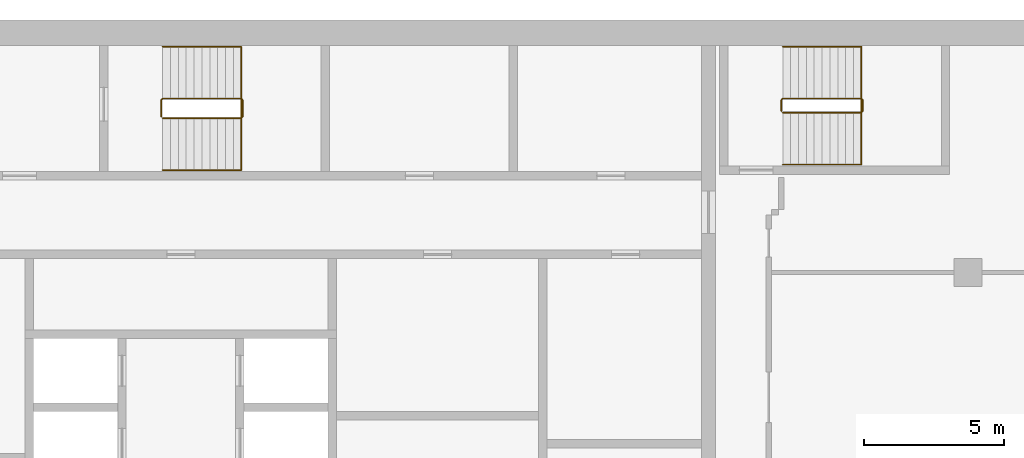
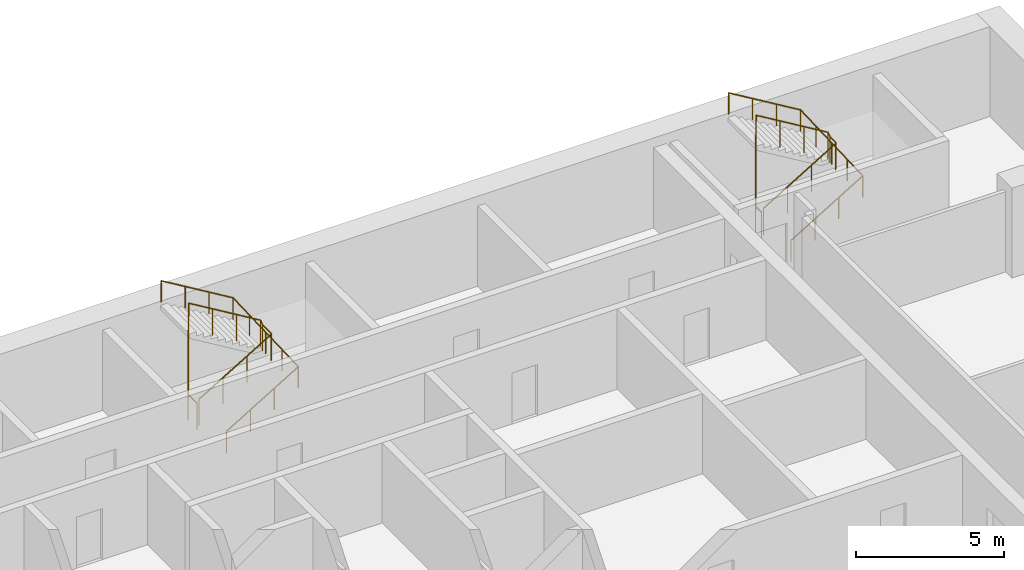
# One storey, part 17 of 17: 4 railings.
"""IFC4 building model written with IfcOpenShell, lengths in metres."""

from ifc_helpers import new_model, si_unit, direction, frame, origin, origin_2d, place, context, subcontext, project, spatial, circle, extrude, material, type_object, element, save


model = new_model("IFC4")

# Units and contexts
model_context = context("Model", 3, precision=1e-05, world=origin(), true_north=direction((0.0, 1.0)))
body_context = subcontext(model_context, "Body", "Model", "MODEL_VIEW")
ifc_project = project(units=[si_unit("LENGTHUNIT", "METRE"), si_unit("AREAUNIT", "SQUARE_METRE"), si_unit("VOLUMEUNIT", "CUBIC_METRE"), si_unit("PLANEANGLEUNIT", "RADIAN"), si_unit("MASSUNIT", "GRAM", prefix="KILO")], contexts=[model_context])

# Site, building, storey
site_placement = place(None, origin())
site = spatial("IfcSite", under=ifc_project, at=site_placement, CompositionType="ELEMENT")
building_placement = place(site_placement, origin())
building = spatial("IfcBuilding", under=site, at=building_placement, Name="Hunhe Ridgeline Campus", CompositionType="ELEMENT")
storey_placement = place(building_placement, frame((0.0, 0.0, 265.10009765625)))
storey = spatial("IfcBuildingStorey", under=building, at=storey_placement, Name="L68", CompositionType="ELEMENT", Elevation=265.10009765625)

# Railings
ifc_material_1 = material(Name="Stainless steel balustrade", Category="steel")
railing_type_1 = type_object("IfcRailingType", Name="Stair guard 1100 stainless", PredefinedType="GUARDRAIL", material=ifc_material_1)
railing_1_placement = place(storey_placement, frame((16.300048828125, 95.5, 0.16796875)))
element("IfcRailing", 1, at=railing_1_placement, inside=storey, type_object=railing_type_1, Name="L68 stair S1 guard", PredefinedType="GUARDRAIL", context=body_context, shape_type="SweptSolid", body=[
    extrude(circle(Radius=0.02392578125, at=origin_2d()), frame((0.0, 0.0, 1.076171875), z_axis=(0.857242210791, 0.0, 0.514913383045), x_axis=(0.0, 1.0, 0.0)), (0.0, 0.0, 1.0), 3.266357421875),
    extrude(circle(Radius=0.02392578125, at=origin_2d()), frame((2.800048828125, 0.0, 2.7578125), z_axis=(0.705375805398, 0.708833529934, 0.0), x_axis=(-0.708833529934, 0.705375805398, 0.0)), (0.0, 0.0, 1.0), 0.070556640625),
    extrude(circle(Radius=0.02392578125, at=origin_2d()), frame((2.849853515625, 0.050048828125, 2.7578125), z_axis=(0.0, 1.0, 0.0), x_axis=(-1.0, 0.0, 0.0)), (0.0, 0.0, 1.0), 0.599853515625),
    extrude(circle(Radius=0.02392578125, at=origin_2d()), frame((2.849853515625, 0.64990234375, 2.7578125), z_axis=(-0.273006030465, 0.27434429532, 0.922064485248), x_axis=(-0.708833529934, -0.705375805398, 0.0)), (0.0, 0.0, 1.0), 0.182373046875),
    extrude(circle(Radius=0.02392578125, at=origin_2d()), frame((2.800048828125, 0.699951171875, 2.92626953125), z_axis=(-0.857242210791, 0.0, 0.514913383045), x_axis=(0.0, -1.0, 0.0)), (0.0, 0.0, 1.0), 3.266357421875),
    extrude(circle(Radius=0.02392578125, at=origin_2d()), frame((0.0, 0.699951171875, 4.60791015625), z_axis=(-0.013524414389, -0.013524414389, -0.999817073484), x_axis=(0.707106781187, -0.707106781187, 0.0)), (0.0, 0.0, 1.0), 3.70068359375),
    extrude(circle(Radius=0.02392578125, at=origin_2d()), frame((-0.050048828125, 0.64990234375, 0.908203125), z_axis=(0.0, -1.0, 0.0), x_axis=(1.0, 0.0, 0.0)), (0.0, 0.0, 1.0), 0.599853515625),
    extrude(circle(Radius=0.02099609375, at=origin_2d()), origin(), (0.0, 0.0, 1.0), 1.052001953125),
    extrude(circle(Radius=0.02099609375, at=origin_2d()), frame((0.933349609375, 0.0, 0.560546875)), (0.0, 0.0, 1.0), 1.052001953125),
    extrude(circle(Radius=0.02099609375, at=origin_2d()), frame((1.86669921875, 0.0, 1.121337890625)), (0.0, 0.0, 1.0), 1.052001953125),
    extrude(circle(Radius=0.02099609375, at=origin_2d()), frame((2.800048828125, 0.0, 1.681884765625)), (0.0, 0.0, 1.0), 1.052001953125),
    extrude(circle(Radius=0.02099609375, at=origin_2d()), frame((2.849853515625, 0.050048828125, 1.681884765625)), (0.0, 0.0, 1.0), 1.052001953125),
    extrude(circle(Radius=0.02099609375, at=origin_2d()), frame((2.849853515625, 0.64990234375, 1.681884765625)), (0.0, 0.0, 1.0), 1.052001953125),
    extrude(circle(Radius=0.02099609375, at=origin_2d()), frame((2.800048828125, 0.699951171875, 1.85009765625)), (0.0, 0.0, 1.0), 1.052001953125),
    extrude(circle(Radius=0.02099609375, at=origin_2d()), frame((1.86669921875, 0.699951171875, 2.41064453125)), (0.0, 0.0, 1.0), 1.052001953125),
    extrude(circle(Radius=0.02099609375, at=origin_2d()), frame((0.933349609375, 0.699951171875, 2.971435546875)), (0.0, 0.0, 1.0), 1.052001953125),
    extrude(circle(Radius=0.02099609375, at=origin_2d()), frame((0.0, 0.699951171875, 3.531982421875)), (0.0, 0.0, 1.0), 1.052001953125),
    extrude(circle(Radius=0.02099609375, at=origin_2d()), frame((-0.012451171875, 0.6875, 2.60693359375)), (0.0, 0.0, 1.0), 1.052001953125),
    extrude(circle(Radius=0.02099609375, at=origin_2d()), frame((-0.02490234375, 0.6748046875, 1.68212890625)), (0.0, 0.0, 1.0), 1.052001953125),
    extrude(circle(Radius=0.02099609375, at=origin_2d()), frame((-0.03759765625, 0.662353515625, 0.757080078125)), (0.0, 0.0, 1.0), 1.052001953125),
    extrude(circle(Radius=0.02099609375, at=origin_2d()), frame((-0.050048828125, 0.64990234375, -0.16796875)), (0.0, 0.0, 1.0), 1.052001953125),
    extrude(circle(Radius=0.02099609375, at=origin_2d()), frame((-0.050048828125, 0.050048828125, -0.16796875)), (0.0, 0.0, 1.0), 1.052001953125),
])
railing_2_placement = place(storey_placement, frame((38.39990234375, 95.699951171875, 0.16796875)))
element("IfcRailing", 2, at=railing_2_placement, inside=storey, type_object=railing_type_1, Name="L68 stair E1 guard", PredefinedType="GUARDRAIL", context=body_context, shape_type="SweptSolid", body=[
    extrude(circle(Radius=0.02392578125, at=origin_2d()), frame((0.0, 0.0, 1.076171875), z_axis=(0.857242210791, 0.0, 0.514913383045), x_axis=(0.0, 1.0, 0.0)), (0.0, 0.0, 1.0), 3.266357421875),
    extrude(circle(Radius=0.02392578125, at=origin_2d()), frame((2.800048828125, 0.0, 2.7578125), z_axis=(0.707106781187, 0.707106781187, 0.0), x_axis=(-0.707106781187, 0.707106781187, 0.0)), (0.0, 0.0, 1.0), 0.07080078125),
    extrude(circle(Radius=0.02392578125, at=origin_2d()), frame((2.85009765625, 0.050048828125, 2.7578125), z_axis=(0.0, 1.0, 0.0), x_axis=(-1.0, 0.0, 0.0)), (0.0, 0.0, 1.0), 0.39990234375),
    extrude(circle(Radius=0.02392578125, at=origin_2d()), frame((2.85009765625, 0.449951171875, 2.7578125), z_axis=(-0.274243871929, 0.274243871929, 0.92172696468), x_axis=(-0.707106781187, -0.707106781187, 0.0)), (0.0, 0.0, 1.0), 0.1826171875),
    extrude(circle(Radius=0.02392578125, at=origin_2d()), frame((2.800048828125, 0.5, 2.92626953125), z_axis=(-0.857242210791, 0.0, 0.514913383045), x_axis=(0.0, -1.0, 0.0)), (0.0, 0.0, 1.0), 3.266357421875),
    extrude(circle(Radius=0.02392578125, at=origin_2d()), frame((0.0, 0.5, 4.60791015625), z_axis=(-0.013458453615, -0.013524426427, -0.999817963389), x_axis=(0.708833529934, -0.705375805398, 0.0)), (0.0, 0.0, 1.0), 3.70068359375),
    extrude(circle(Radius=0.02392578125, at=origin_2d()), frame((-0.0498046875, 0.449951171875, 0.908203125), z_axis=(0.0, -1.0, 0.0), x_axis=(1.0, 0.0, 0.0)), (0.0, 0.0, 1.0), 0.39990234375),
    extrude(circle(Radius=0.02099609375, at=origin_2d()), origin(), (0.0, 0.0, 1.0), 1.052001953125),
    extrude(circle(Radius=0.02099609375, at=origin_2d()), frame((0.933349609375, 0.0, 0.560546875)), (0.0, 0.0, 1.0), 1.052001953125),
    extrude(circle(Radius=0.02099609375, at=origin_2d()), frame((1.86669921875, 0.0, 1.121337890625)), (0.0, 0.0, 1.0), 1.052001953125),
    extrude(circle(Radius=0.02099609375, at=origin_2d()), frame((2.800048828125, 0.0, 1.681884765625)), (0.0, 0.0, 1.0), 1.052001953125),
    extrude(circle(Radius=0.02099609375, at=origin_2d()), frame((2.85009765625, 0.050048828125, 1.681884765625)), (0.0, 0.0, 1.0), 1.052001953125),
    extrude(circle(Radius=0.02099609375, at=origin_2d()), frame((2.85009765625, 0.449951171875, 1.681884765625)), (0.0, 0.0, 1.0), 1.052001953125),
    extrude(circle(Radius=0.02099609375, at=origin_2d()), frame((2.800048828125, 0.5, 1.85009765625)), (0.0, 0.0, 1.0), 1.052001953125),
    extrude(circle(Radius=0.02099609375, at=origin_2d()), frame((1.86669921875, 0.5, 2.41064453125)), (0.0, 0.0, 1.0), 1.052001953125),
    extrude(circle(Radius=0.02099609375, at=origin_2d()), frame((0.933349609375, 0.5, 2.971435546875)), (0.0, 0.0, 1.0), 1.052001953125),
    extrude(circle(Radius=0.02099609375, at=origin_2d()), frame((0.0, 0.5, 3.531982421875)), (0.0, 0.0, 1.0), 1.052001953125),
    extrude(circle(Radius=0.02099609375, at=origin_2d()), frame((-0.012451171875, 0.487548828125, 2.60693359375)), (0.0, 0.0, 1.0), 1.052001953125),
    extrude(circle(Radius=0.02099609375, at=origin_2d()), frame((-0.02490234375, 0.47509765625, 1.68212890625)), (0.0, 0.0, 1.0), 1.052001953125),
    extrude(circle(Radius=0.02099609375, at=origin_2d()), frame((-0.037353515625, 0.46240234375, 0.757080078125)), (0.0, 0.0, 1.0), 1.052001953125),
    extrude(circle(Radius=0.02099609375, at=origin_2d()), frame((-0.0498046875, 0.449951171875, -0.16796875)), (0.0, 0.0, 1.0), 1.052001953125),
    extrude(circle(Radius=0.02099609375, at=origin_2d()), frame((-0.0498046875, 0.050048828125, -0.16796875)), (0.0, 0.0, 1.0), 1.052001953125),
])
ifc_material_2 = material(Name="Stainless steel handrail", Category="steel")
railing_type_2 = type_object("IfcRailingType", Name="Stair handrail 900 stainless", PredefinedType="HANDRAIL", material=ifc_material_2)
railing_3_placement = place(storey_placement, frame((16.300048828125, 93.64990234375, 0.16796875)))
element("IfcRailing", 3, at=railing_3_placement, inside=storey, type_object=railing_type_2, Name="L68 stair S1 handrail", PredefinedType="HANDRAIL", context=body_context, shape_type="SweptSolid", body=[
    extrude(circle(Radius=0.02392578125, at=origin_2d()), frame((0.0, 0.0, 0.8759765625), z_axis=(0.857242210791, 0.0, 0.514913383045), x_axis=(0.0, 1.0, 0.0)), (0.0, 0.0, 1.0), 3.266357421875),
    extrude(circle(Radius=0.02392578125, at=origin_2d()), frame((2.800048828125, 0.0, 2.5576171875), z_axis=(0.0, 0.999270074432, 0.038201025428), x_axis=(-1.0, 0.0, 0.0)), (0.0, 0.0, 1.0), 4.4033203125),
    extrude(circle(Radius=0.02392578125, at=origin_2d()), frame((2.800048828125, 4.400146484375, 2.72607421875), z_axis=(-0.857242210791, 0.0, 0.514913383045), x_axis=(0.0, -1.0, 0.0)), (0.0, 0.0, 1.0), 3.266357421875),
    extrude(circle(Radius=0.02099609375, at=origin_2d()), origin(), (0.0, 0.0, 1.0), 0.851806640625),
    extrude(circle(Radius=0.02099609375, at=origin_2d()), frame((0.933349609375, 0.0, 0.560546875)), (0.0, 0.0, 1.0), 0.851806640625),
    extrude(circle(Radius=0.02099609375, at=origin_2d()), frame((1.86669921875, 0.0, 1.121337890625)), (0.0, 0.0, 1.0), 0.851806640625),
    extrude(circle(Radius=0.02099609375, at=origin_2d()), frame((2.800048828125, 0.0, 1.681884765625)), (0.0, 0.0, 1.0), 0.851806640625),
    extrude(circle(Radius=0.02099609375, at=origin_2d()), frame((2.800048828125, 1.10009765625, 1.723876953125)), (0.0, 0.0, 1.0), 0.851806640625),
    extrude(circle(Radius=0.02099609375, at=origin_2d()), frame((2.800048828125, 2.2001953125, 1.76611328125)), (0.0, 0.0, 1.0), 0.851806640625),
    extrude(circle(Radius=0.02099609375, at=origin_2d()), frame((2.800048828125, 3.300048828125, 1.80810546875)), (0.0, 0.0, 1.0), 0.851806640625),
    extrude(circle(Radius=0.02099609375, at=origin_2d()), frame((2.800048828125, 4.400146484375, 1.85009765625)), (0.0, 0.0, 1.0), 0.851806640625),
    extrude(circle(Radius=0.02099609375, at=origin_2d()), frame((1.86669921875, 4.400146484375, 2.41064453125)), (0.0, 0.0, 1.0), 0.851806640625),
    extrude(circle(Radius=0.02099609375, at=origin_2d()), frame((0.933349609375, 4.400146484375, 2.971435546875)), (0.0, 0.0, 1.0), 0.851806640625),
    extrude(circle(Radius=0.02099609375, at=origin_2d()), frame((0.0, 4.400146484375, 3.531982421875)), (0.0, 0.0, 1.0), 0.851806640625),
])
railing_4_placement = place(storey_placement, frame((38.39990234375, 93.85009765625, 0.16796875)))
element("IfcRailing", 4, at=railing_4_placement, inside=storey, type_object=railing_type_2, Name="L68 stair E1 handrail", PredefinedType="HANDRAIL", context=body_context, shape_type="SweptSolid", body=[
    extrude(circle(Radius=0.02392578125, at=origin_2d()), frame((0.0, 0.0, 0.8759765625), z_axis=(0.857242210791, 0.0, 0.514913383045), x_axis=(0.0, 1.0, 0.0)), (0.0, 0.0, 1.0), 3.266357421875),
    extrude(circle(Radius=0.02392578125, at=origin_2d()), frame((2.800048828125, 0.0, 2.5576171875), z_axis=(0.0, 0.999198916169, 0.040019069537), x_axis=(-1.0, 0.0, 0.0)), (0.0, 0.0, 1.0), 4.203369140625),
    extrude(circle(Radius=0.02392578125, at=origin_2d()), frame((2.800048828125, 4.199951171875, 2.72607421875), z_axis=(-0.857242210791, 0.0, 0.514913383045), x_axis=(0.0, -1.0, 0.0)), (0.0, 0.0, 1.0), 3.266357421875),
    extrude(circle(Radius=0.02099609375, at=origin_2d()), origin(), (0.0, 0.0, 1.0), 0.851806640625),
    extrude(circle(Radius=0.02099609375, at=origin_2d()), frame((0.933349609375, 0.0, 0.560546875)), (0.0, 0.0, 1.0), 0.851806640625),
    extrude(circle(Radius=0.02099609375, at=origin_2d()), frame((1.86669921875, 0.0, 1.121337890625)), (0.0, 0.0, 1.0), 0.851806640625),
    extrude(circle(Radius=0.02099609375, at=origin_2d()), frame((2.800048828125, 0.0, 1.681884765625)), (0.0, 0.0, 1.0), 0.851806640625),
    extrude(circle(Radius=0.02099609375, at=origin_2d()), frame((2.800048828125, 1.050048828125, 1.723876953125)), (0.0, 0.0, 1.0), 0.851806640625),
    extrude(circle(Radius=0.02099609375, at=origin_2d()), frame((2.800048828125, 2.10009765625, 1.76611328125)), (0.0, 0.0, 1.0), 0.851806640625),
    extrude(circle(Radius=0.02099609375, at=origin_2d()), frame((2.800048828125, 3.14990234375, 1.80810546875)), (0.0, 0.0, 1.0), 0.851806640625),
    extrude(circle(Radius=0.02099609375, at=origin_2d()), frame((2.800048828125, 4.199951171875, 1.85009765625)), (0.0, 0.0, 1.0), 0.851806640625),
    extrude(circle(Radius=0.02099609375, at=origin_2d()), frame((1.86669921875, 4.199951171875, 2.41064453125)), (0.0, 0.0, 1.0), 0.851806640625),
    extrude(circle(Radius=0.02099609375, at=origin_2d()), frame((0.933349609375, 4.199951171875, 2.971435546875)), (0.0, 0.0, 1.0), 0.851806640625),
    extrude(circle(Radius=0.02099609375, at=origin_2d()), frame((0.0, 4.199951171875, 3.531982421875)), (0.0, 0.0, 1.0), 0.851806640625),
])

save(model, "model.ifc")
